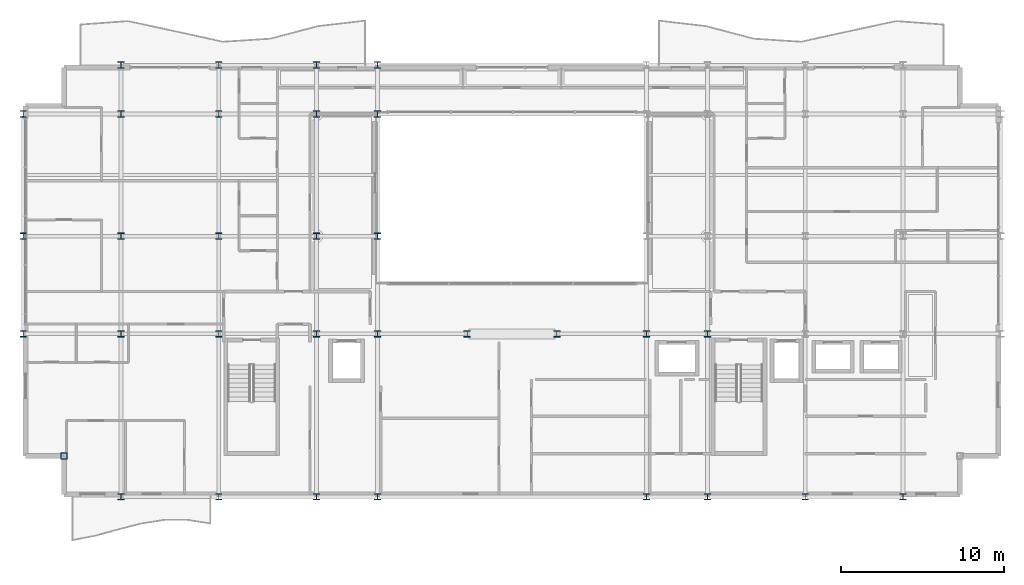
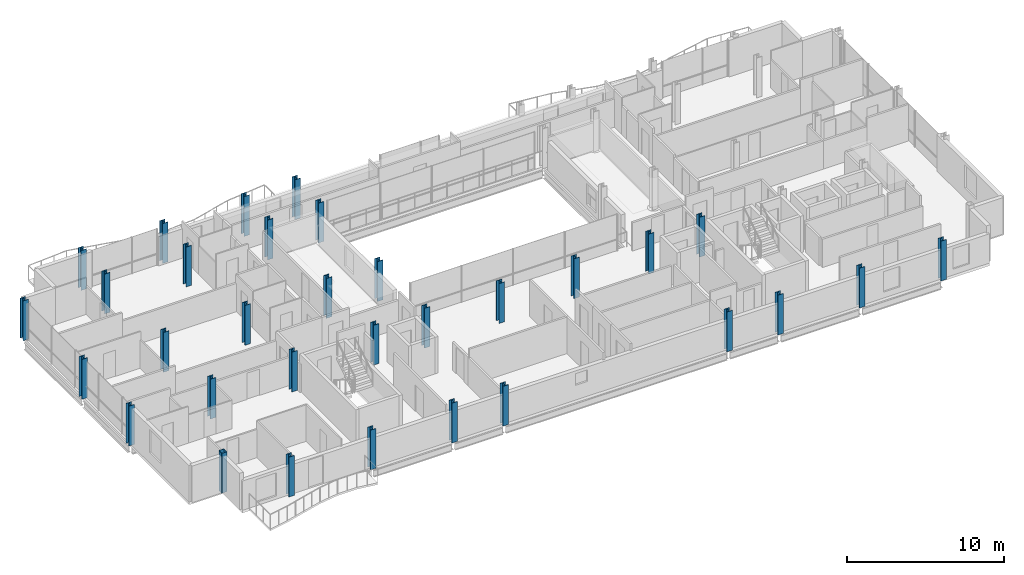
# One storey, part 1 of 36: 32 columns.
"""IFC4 building model written with IfcOpenShell, lengths in metres."""

import ifcopenshell
import ifcopenshell.guid

model = None  # the IFC model being written
_history = None  # IfcOwnerHistory: only IFC2X3 demands one
_inside = {}  # id of a spatial element -> (the spatial element, [elements in it])
_under = {}  # id of a project, library or spatial element -> (it, [spatial elements below it])
_declared = {}  # id of a project -> (the project, [libraries it declares])
_typed = {}  # id of a type object -> (the type object, [elements of that type])
_made_of = {}  # id of a material, layer set ... -> (it, [elements and type objects made of it])


def new_model(schema):
    """Start an empty IFC model of exactly this schema.

    Asked for "IFC4X3", IfcOpenShell would pick the latest addendum, in which some entities
    have other attributes; the version numbers below select the first issue.
    IFC2X3 requires an IfcOwnerHistory on every rooted entity: one is made here for all.
    """
    global model, _history
    if schema == "IFC4X3":
        model = ifcopenshell.file(schema_version=(4, 3, 0, 0))
    else:
        model = ifcopenshell.file(schema=schema)
    _inside.clear()
    _under.clear()
    _declared.clear()
    _typed.clear()
    _made_of.clear()
    _history = None
    if model.schema == "IFC2X3":
        org = make("IfcOrganization", Name="unknown")
        user = make(
            "IfcPersonAndOrganization",
            ThePerson=make("IfcPerson", FamilyName="unknown"),
            TheOrganization=org,
        )
        app = make(
            "IfcApplication",
            ApplicationDeveloper=org,
            Version="unknown",
            ApplicationFullName="unknown",
            ApplicationIdentifier="unknown",
        )
        _history = make(
            "IfcOwnerHistory",
            OwningUser=user,
            OwningApplication=app,
            ChangeAction="ADDED",
            CreationDate=0,
        )
    return model


def make(cls, **values):
    """One entity of the class cls with the attributes given. An attribute that is None is left unset."""
    return model.create_entity(
        cls, **{name: value for name, value in values.items() if value is not None}
    )


def rooted(cls, **values):
    """An entity with a GlobalId (a new one), such as an element, a storey or a relation."""
    return make(cls, GlobalId=ifcopenshell.guid.new(), OwnerHistory=_history, **values)


def si_unit(unit_type, name, prefix=None):
    """IfcSIUnit, for example si_unit("LENGTHUNIT", "METRE", prefix="MILLI")."""
    return make("IfcSIUnit", UnitType=unit_type, Prefix=prefix, Name=name)


def assignment(units):
    """IfcUnitAssignment: the units of a project."""
    return None if units is None else make("IfcUnitAssignment", Units=units)


def point(xyz):
    """IfcCartesianPoint."""
    return None if xyz is None else make("IfcCartesianPoint", Coordinates=xyz)


def direction(xyz):
    """IfcDirection."""
    return None if xyz is None else make("IfcDirection", DirectionRatios=xyz)


def frame(location, z_axis=None, x_axis=None):
    """IfcAxis2Placement3D, a coordinate frame: its origin and axes. An axis left out is left unset."""
    return make(
        "IfcAxis2Placement3D",
        Location=point(location),
        Axis=direction(z_axis),
        RefDirection=direction(x_axis),
    )


def frame_2d(location, x_axis=None):
    """IfcAxis2Placement2D, a coordinate frame in the plane: its origin and x axis."""
    return make(
        "IfcAxis2Placement2D", Location=point(location), RefDirection=direction(x_axis)
    )


def origin():
    """The frame at (0, 0, 0) with its axes left unset."""
    return frame((0.0, 0.0, 0.0))


def origin_2d():
    """The frame at (0, 0) in the plane with its x axis left unset."""
    return frame_2d((0.0, 0.0))


def place(relative_to, where):
    """IfcLocalPlacement: puts the frame where relative to a parent placement (None: the world)."""
    return make(
        "IfcLocalPlacement", PlacementRelTo=relative_to, RelativePlacement=where
    )


def context(
    kind, dimensions, precision=None, world=None, true_north=None, identifier=None
):
    """IfcGeometricRepresentationContext, for example the 3D "Model" context."""
    return make(
        "IfcGeometricRepresentationContext",
        ContextIdentifier=identifier,
        ContextType=kind,
        CoordinateSpaceDimension=dimensions,
        Precision=precision,
        WorldCoordinateSystem=world,
        TrueNorth=true_north,
    )


def subcontext(parent, identifier, kind, view, scale=None):
    """IfcGeometricRepresentationSubContext, for example "Body" below "Model"."""
    return make(
        "IfcGeometricRepresentationSubContext",
        ContextIdentifier=identifier,
        ContextType=kind,
        ParentContext=parent,
        TargetScale=scale,
        TargetView=view,
    )


def project(units=None, contexts=None):
    """IfcProject with its units and contexts."""
    return rooted(
        "IfcProject",
        Name="project",
        RepresentationContexts=contexts,
        UnitsInContext=assignment(units),
    )


def spatial(cls, under=None, at=None, **own):
    """A site, building, storey or space (cls), placed at a placement, below another one or the project."""
    s = rooted(cls, ObjectPlacement=at, **own)
    if under is not None:
        _under.setdefault(under.id(), (under, []))[1].append(s)
    return s


def profile(cls, at=None, kind="AREA", **sizes):
    """A parametric profile (cls). Its sizes go by their IFC names, for example OverallWidth=200.0."""
    return make(cls, ProfileType=kind, Position=at, **sizes)


def hollow_rectangle(**sizes):
    """IfcRectangleHollowProfileDef."""
    return profile("IfcRectangleHollowProfileDef", **sizes)


def i_section(**sizes):
    """IfcIShapeProfileDef."""
    return profile("IfcIShapeProfileDef", **sizes)


def extrude(swept, where, along, depth):
    """IfcExtrudedAreaSolid: the profile swept, set in the frame where, extruded along a direction by depth."""
    return make(
        "IfcExtrudedAreaSolid",
        SweptArea=swept,
        Position=where,
        ExtrudedDirection=direction(along),
        Depth=depth,
    )


def shape(context_of_items, identifier, shape_type, items):
    """IfcShapeRepresentation: the items that make up one representation, for example the "Body"."""
    return make(
        "IfcShapeRepresentation",
        ContextOfItems=context_of_items,
        RepresentationIdentifier=identifier,
        RepresentationType=shape_type,
        Items=items,
    )


def material(Name=None, Category=None):
    """IfcMaterial."""
    return make("IfcMaterial", Name=Name, Category=Category)


def material_profile(
    of_material, cross_section, Name=None, Category=None, Priority=None
):
    """IfcMaterialProfile: a cross section and its material."""
    return make(
        "IfcMaterialProfile",
        Name=Name,
        Material=of_material,
        Profile=cross_section,
        Priority=Priority,
        Category=Category,
    )


def profile_set(profiles, Name=None, composite=None):
    """IfcMaterialProfileSet."""
    return make(
        "IfcMaterialProfileSet",
        Name=Name,
        MaterialProfiles=profiles,
        CompositeProfile=composite,
    )


def made_of(thing, what):
    """Note that an element or type object is made of a material, layer set ...; save() writes the relation."""
    if what is not None:
        _made_of.setdefault(what.id(), (what, []))[1].append(thing)
    return thing


def type_object(cls, material=None, **own):
    """A type object (cls), such as IfcWallType, which elements share."""
    return made_of(rooted(cls, **own), material)


def element(
    cls,
    number,
    at=None,
    inside=None,
    cuts=None,
    type_object=None,
    material=None,
    context=None,
    identifier="Body",
    shape_type=None,
    held_by="IfcProductDefinitionShape",
    body=None,
    shapes=None,
    **own,
):
    """One element of the class cls, such as IfcWall. Its Tag is "e" and its number.

    at: its placement. inside: the storey or other place that contains it. cuts: it is an
    opening in that element (IfcRelVoidsElement). A single representation is given by context,
    identifier, shape_type and body (its items); several are given by shapes. held_by: the class
    of the entity that holds the representations. save() writes the other relations.
    """
    e = rooted(cls, Tag="e%d" % number, ObjectPlacement=at, **own)
    if body is not None:
        shapes = [shape(context, identifier, shape_type, body)]
    if shapes is not None:
        e.Representation = make(held_by, Representations=shapes)
    if inside is not None:
        _inside.setdefault(inside.id(), (inside, []))[1].append(e)
    if cuts is not None:
        rooted(
            "IfcRelVoidsElement", RelatingBuildingElement=cuts, RelatedOpeningElement=e
        )
    if type_object is not None:
        _typed.setdefault(type_object.id(), (type_object, []))[1].append(e)
    return made_of(e, material)


def aggregate(whole, parts):
    """IfcRelAggregates: a whole, such as a stair, and the parts it consists of."""
    return rooted("IfcRelAggregates", RelatingObject=whole, RelatedObjects=parts)


def save(model, path):
    """Write the relations noted so far, then the file.

    IfcRelAggregates (storeys below a building ...), IfcRelContainedInSpatialStructure (elements
    in a storey), IfcRelDefinesByType, IfcRelAssociatesMaterial and IfcRelDeclares: one each for
    every whole, place, type object, material and project.
    """
    for whole, parts in _under.values():
        aggregate(whole, parts)
    for where, things in _inside.values():
        rooted(
            "IfcRelContainedInSpatialStructure",
            RelatedElements=things,
            RelatingStructure=where,
        )
    for kind, things in _typed.values():
        rooted("IfcRelDefinesByType", RelatedObjects=things, RelatingType=kind)
    for what, things in _made_of.values():
        rooted("IfcRelAssociatesMaterial", RelatedObjects=things, RelatingMaterial=what)
    for by, libraries in _declared.values():
        rooted("IfcRelDeclares", RelatingContext=by, RelatedDefinitions=libraries)
    model.write(path)


model = new_model("IFC4")

# Units and contexts
model_context = context("Model", 3, precision=1e-05, world=origin(), true_north=direction((0.0, 1.0)))
body_context = subcontext(model_context, "Body", "Model", "MODEL_VIEW")
ifc_project = project(units=[si_unit("LENGTHUNIT", "METRE"), si_unit("AREAUNIT", "SQUARE_METRE"), si_unit("VOLUMEUNIT", "CUBIC_METRE"), si_unit("PLANEANGLEUNIT", "RADIAN"), si_unit("MASSUNIT", "GRAM", prefix="KILO")], contexts=[model_context])

# Site, building, storey
site_placement = place(None, origin())
site = spatial("IfcSite", under=ifc_project, at=site_placement, CompositionType="ELEMENT")
building_placement = place(site_placement, origin())
building = spatial("IfcBuilding", under=site, at=building_placement, Name="Brevholm Reach", CompositionType="ELEMENT")
storey_placement = place(building_placement, frame((0.0, 0.0, 175.89990234375)))
storey = spatial("IfcBuildingStorey", under=building, at=storey_placement, Name="L53", CompositionType="ELEMENT", Elevation=175.89990234375)

# Columns
ifc_material_1 = material(Name="Structural Steel S460NH", Category="steel")
ifc_material_profile_1 = material_profile(ifc_material_1, hollow_rectangle(XDim=0.39990234375, YDim=0.39990234375, WallThickness=0.02001953125, InnerFilletRadius=0.011962890625, OuterFilletRadius=0.02392578125, at=origin_2d()), Name="SHS 400x400x20")
ifc_profile_set_1 = profile_set([ifc_material_profile_1], Name="Structural Steel S460NH")
column_type_1 = type_object("IfcColumnType", Name="COL-SHS2", PredefinedType="COLUMN", material=ifc_profile_set_1)
column_placement = place(storey_placement, frame((2.5, 2.5, 0.0), z_axis=(0.0, 0.0, 1.0), x_axis=(1.0, 0.0, 0.0)))
element("IfcColumn", 1, at=column_placement, inside=storey, type_object=column_type_1, Name="L53 Column 04", PredefinedType="COLUMN", context=body_context, shape_type="SweptSolid", body=[
    extrude(hollow_rectangle(XDim=0.39990234375, YDim=0.39990234375, WallThickness=0.02001953125, InnerFilletRadius=0.011962890625, OuterFilletRadius=0.02392578125, at=origin_2d()), origin(), (0.0, 0.0, 1.0), 3.10009765625),
])
ifc_material_2 = material(Name="Structural Steel S355J2", Category="steel")
ifc_material_profile_2 = material_profile(ifc_material_2, i_section(OverallWidth=0.39892578125, OverallDepth=0.3935546875, WebThickness=0.022705078125, FlangeThickness=0.03662109375, FilletRadius=0.01513671875, at=origin_2d()), Name="UKC 356x406x287")
ifc_profile_set_2 = profile_set([ifc_material_profile_2], Name="Structural Steel S355J2")
column_type_2 = type_object("IfcColumnType", Name="COL-UC5B", PredefinedType="COLUMN", material=ifc_profile_set_2)
for number, where, z_axis, x_axis, name in (
    (2, (0.0, 10.0, 0.0), (0.0, 0.0, 1.0), (1.0, 0.0, 0.0), "L53 Column 01"),
    (3, (0.0, 16.0, 0.0), (0.0, 0.0, 1.0), (1.0, 0.0, 0.0), "L53 Column 02"),
    (4, (0.0, 23.5, 0.0), (0.0, 0.0, 1.0), (1.0, 0.0, 0.0), "L53 Column 03"),
    (5, (6.0, 0.0, 0.0), (0.0, 0.0, 1.0), (1.0, 0.0, 0.0), "L53 Column 05"),
    (6, (6.0, 10.0, 0.0), (0.0, 0.0, 1.0), (1.0, 0.0, 0.0), "L53 Column 06"),
    (7, (6.0, 16.0, 0.0), (0.0, 0.0, 1.0), (1.0, 0.0, 0.0), "L53 Column 07"),
    (8, (6.0, 23.5, 0.0), (0.0, 0.0, 1.0), (1.0, 0.0, 0.0), "L53 Column 08"),
    (9, (6.0, 26.5, 0.0), (0.0, 0.0, 1.0), (1.0, 0.0, 0.0), "L53 Column 09"),
    (10, (12.0, 0.0, 0.0), (0.0, 0.0, 1.0), (1.0, 0.0, 0.0), "L53 Column 10"),
    (11, (12.0, 10.0, 0.0), (0.0, 0.0, 1.0), (1.0, 0.0, 0.0), "L53 Column 11"),
    (12, (12.0, 16.0, 0.0), (0.0, 0.0, 1.0), (1.0, 0.0, 0.0), "L53 Column 12"),
    (13, (12.0, 23.5, 0.0), (0.0, 0.0, 1.0), (1.0, 0.0, 0.0), "L53 Column 13"),
    (14, (12.0, 26.5, 0.0), (0.0, 0.0, 1.0), (1.0, 0.0, 0.0), "L53 Column 14"),
    (15, (18.0, 0.0, 0.0), (0.0, 0.0, 1.0), (1.0, 0.0, 0.0), "L53 Column 15"),
    (16, (18.0, 10.0, 0.0), (0.0, 0.0, 1.0), (1.0, 0.0, 0.0), "L53 Column 16"),
    (17, (18.0, 16.0, 0.0), (0.0, 0.0, 1.0), (1.0, 0.0, 0.0), "L53 Column 17"),
    (18, (18.0, 23.5, 0.0), (0.0, 0.0, 1.0), (1.0, 0.0, 0.0), "L53 Column 18"),
    (19, (18.0, 26.5, 0.0), (0.0, 0.0, 1.0), (1.0, 0.0, 0.0), "L53 Column 19"),
    (20, (21.75, 0.0, 0.0), (0.0, 0.0, 1.0), (1.0, 0.0, 0.0), "L53 Column 20"),
    (21, (21.75, 10.0, 0.0), (0.0, 0.0, 1.0), (1.0, 0.0, 0.0), "L53 Column 21"),
    (22, (21.75, 16.0, 0.0), (0.0, 0.0, 1.0), (1.0, 0.0, 0.0), "L53 Column 22"),
    (23, (21.75, 23.5, 0.0), (0.0, 0.0, 1.0), (1.0, 0.0, 0.0), "L53 Column 23"),
    (24, (21.75, 26.5, 0.0), (0.0, 0.0, 1.0), (1.0, 0.0, 0.0), "L53 Column 24"),
    (25, (27.25, 10.0, 0.0), (0.0, 0.0, 1.0), (1.0, 0.0, 0.0), "L53 Column 25"),
    (26, (32.75, 10.0, 0.0), (0.0, 0.0, 1.0), (1.0, 0.0, 0.0), "L53 Column 26"),
    (27, (38.25, 0.0, 0.0), (0.0, 0.0, 1.0), (1.0, 0.0, 0.0), "L53 Column 27"),
    (28, (38.25, 10.0, 0.0), (0.0, 0.0, 1.0), (1.0, 0.0, 0.0), "L53 Column 28"),
    (29, (42.0, 0.0, 0.0), (0.0, 0.0, 1.0), (1.0, 0.0, 0.0), "L53 Column 32"),
    (30, (42.0, 10.0, 0.0), (0.0, 0.0, 1.0), (1.0, 0.0, 0.0), "L53 Column 33"),
    (31, (48.0, 0.0, 0.0), (0.0, 0.0, 1.0), (1.0, 0.0, 0.0), "L53 Column 37"),
    (32, (54.0, 0.0, 0.0), (0.0, 0.0, 1.0), (1.0, 0.0, 0.0), "L53 Column 42"),
):
    element("IfcColumn", number, at=place(storey_placement, frame(where, z_axis=z_axis, x_axis=x_axis)), inside=storey, type_object=column_type_2, Name=name, PredefinedType="COLUMN", context=body_context, shape_type="SweptSolid", body=[
        extrude(i_section(OverallWidth=0.39892578125, OverallDepth=0.3935546875, WebThickness=0.022705078125, FlangeThickness=0.03662109375, FilletRadius=0.01513671875, at=origin_2d()), origin(), (0.0, 0.0, 1.0), 3.10009765625),
    ])

save(model, "model.ifc")
